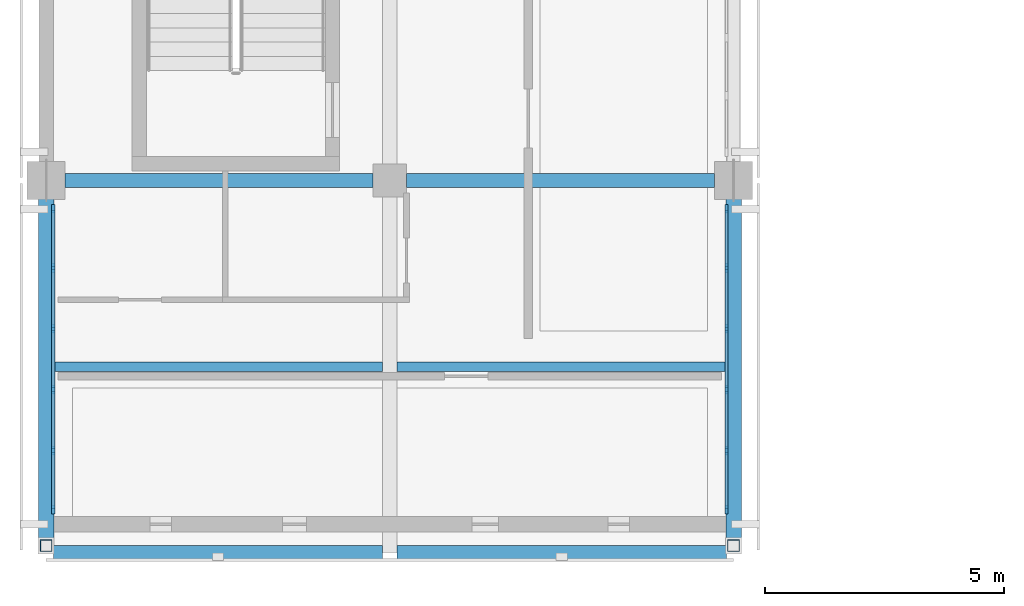
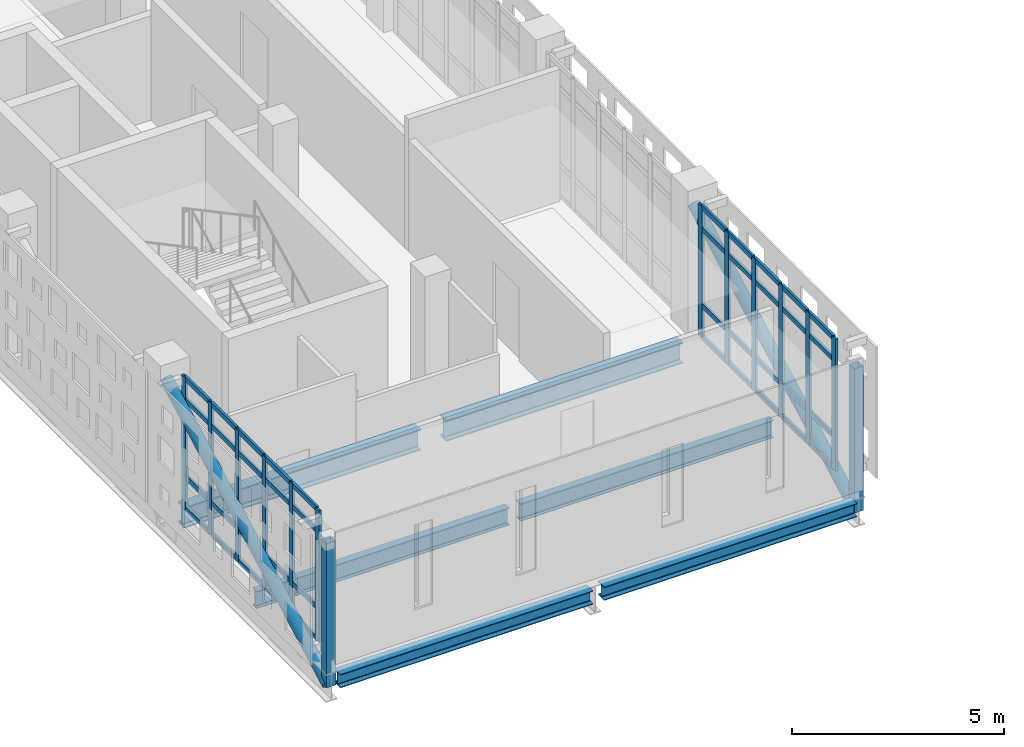
# One storey, part 7 of 33: 56 members, 6 beams, 2 elements without a shape of their own.
"""IFC4 building model written with IfcOpenShell, lengths in metres."""

import ifcopenshell
import ifcopenshell.guid

model = None  # the IFC model being written
_history = None  # IfcOwnerHistory: only IFC2X3 demands one
_inside = {}  # id of a spatial element -> (the spatial element, [elements in it])
_under = {}  # id of a project, library or spatial element -> (it, [spatial elements below it])
_declared = {}  # id of a project -> (the project, [libraries it declares])
_typed = {}  # id of a type object -> (the type object, [elements of that type])
_made_of = {}  # id of a material, layer set ... -> (it, [elements and type objects made of it])


def new_model(schema):
    """Start an empty IFC model of exactly this schema.

    Asked for "IFC4X3", IfcOpenShell would pick the latest addendum, in which some entities
    have other attributes; the version numbers below select the first issue.
    IFC2X3 requires an IfcOwnerHistory on every rooted entity: one is made here for all.
    """
    global model, _history
    if schema == "IFC4X3":
        model = ifcopenshell.file(schema_version=(4, 3, 0, 0))
    else:
        model = ifcopenshell.file(schema=schema)
    _inside.clear()
    _under.clear()
    _declared.clear()
    _typed.clear()
    _made_of.clear()
    _history = None
    if model.schema == "IFC2X3":
        org = make("IfcOrganization", Name="unknown")
        user = make(
            "IfcPersonAndOrganization",
            ThePerson=make("IfcPerson", FamilyName="unknown"),
            TheOrganization=org,
        )
        app = make(
            "IfcApplication",
            ApplicationDeveloper=org,
            Version="unknown",
            ApplicationFullName="unknown",
            ApplicationIdentifier="unknown",
        )
        _history = make(
            "IfcOwnerHistory",
            OwningUser=user,
            OwningApplication=app,
            ChangeAction="ADDED",
            CreationDate=0,
        )
    return model


def make(cls, **values):
    """One entity of the class cls with the attributes given. An attribute that is None is left unset."""
    return model.create_entity(
        cls, **{name: value for name, value in values.items() if value is not None}
    )


def rooted(cls, **values):
    """An entity with a GlobalId (a new one), such as an element, a storey or a relation."""
    return make(cls, GlobalId=ifcopenshell.guid.new(), OwnerHistory=_history, **values)


def si_unit(unit_type, name, prefix=None):
    """IfcSIUnit, for example si_unit("LENGTHUNIT", "METRE", prefix="MILLI")."""
    return make("IfcSIUnit", UnitType=unit_type, Prefix=prefix, Name=name)


def assignment(units):
    """IfcUnitAssignment: the units of a project."""
    return None if units is None else make("IfcUnitAssignment", Units=units)


def point(xyz):
    """IfcCartesianPoint."""
    return None if xyz is None else make("IfcCartesianPoint", Coordinates=xyz)


def direction(xyz):
    """IfcDirection."""
    return None if xyz is None else make("IfcDirection", DirectionRatios=xyz)


def frame(location, z_axis=None, x_axis=None):
    """IfcAxis2Placement3D, a coordinate frame: its origin and axes. An axis left out is left unset."""
    return make(
        "IfcAxis2Placement3D",
        Location=point(location),
        Axis=direction(z_axis),
        RefDirection=direction(x_axis),
    )


def frame_2d(location, x_axis=None):
    """IfcAxis2Placement2D, a coordinate frame in the plane: its origin and x axis."""
    return make(
        "IfcAxis2Placement2D", Location=point(location), RefDirection=direction(x_axis)
    )


def origin():
    """The frame at (0, 0, 0) with its axes left unset."""
    return frame((0.0, 0.0, 0.0))


def origin_2d():
    """The frame at (0, 0) in the plane with its x axis left unset."""
    return frame_2d((0.0, 0.0))


def place(relative_to, where):
    """IfcLocalPlacement: puts the frame where relative to a parent placement (None: the world)."""
    return make(
        "IfcLocalPlacement", PlacementRelTo=relative_to, RelativePlacement=where
    )


def context(
    kind, dimensions, precision=None, world=None, true_north=None, identifier=None
):
    """IfcGeometricRepresentationContext, for example the 3D "Model" context."""
    return make(
        "IfcGeometricRepresentationContext",
        ContextIdentifier=identifier,
        ContextType=kind,
        CoordinateSpaceDimension=dimensions,
        Precision=precision,
        WorldCoordinateSystem=world,
        TrueNorth=true_north,
    )


def subcontext(parent, identifier, kind, view, scale=None):
    """IfcGeometricRepresentationSubContext, for example "Body" below "Model"."""
    return make(
        "IfcGeometricRepresentationSubContext",
        ContextIdentifier=identifier,
        ContextType=kind,
        ParentContext=parent,
        TargetScale=scale,
        TargetView=view,
    )


def project(units=None, contexts=None):
    """IfcProject with its units and contexts."""
    return rooted(
        "IfcProject",
        Name="project",
        RepresentationContexts=contexts,
        UnitsInContext=assignment(units),
    )


def spatial(cls, under=None, at=None, **own):
    """A site, building, storey or space (cls), placed at a placement, below another one or the project."""
    s = rooted(cls, ObjectPlacement=at, **own)
    if under is not None:
        _under.setdefault(under.id(), (under, []))[1].append(s)
    return s


def profile(cls, at=None, kind="AREA", **sizes):
    """A parametric profile (cls). Its sizes go by their IFC names, for example OverallWidth=200.0."""
    return make(cls, ProfileType=kind, Position=at, **sizes)


def rectangle(**sizes):
    """IfcRectangleProfileDef."""
    return profile("IfcRectangleProfileDef", **sizes)


def hollow_rectangle(**sizes):
    """IfcRectangleHollowProfileDef."""
    return profile("IfcRectangleHollowProfileDef", **sizes)


def hollow_circle(**sizes):
    """IfcCircleHollowProfileDef."""
    return profile("IfcCircleHollowProfileDef", **sizes)


def i_section(**sizes):
    """IfcIShapeProfileDef."""
    return profile("IfcIShapeProfileDef", **sizes)


def extrude(swept, where, along, depth):
    """IfcExtrudedAreaSolid: the profile swept, set in the frame where, extruded along a direction by depth."""
    return make(
        "IfcExtrudedAreaSolid",
        SweptArea=swept,
        Position=where,
        ExtrudedDirection=direction(along),
        Depth=depth,
    )


def shape(context_of_items, identifier, shape_type, items):
    """IfcShapeRepresentation: the items that make up one representation, for example the "Body"."""
    return make(
        "IfcShapeRepresentation",
        ContextOfItems=context_of_items,
        RepresentationIdentifier=identifier,
        RepresentationType=shape_type,
        Items=items,
    )


def material(Name=None, Category=None):
    """IfcMaterial."""
    return make("IfcMaterial", Name=Name, Category=Category)


def layer(
    of_material, thickness, ventilated=None, Name=None, Category=None, Priority=None
):
    """IfcMaterialLayer: one layer of a wall or slab, of a material (None: an air gap)."""
    return make(
        "IfcMaterialLayer",
        Material=of_material,
        LayerThickness=thickness,
        IsVentilated=ventilated,
        Name=Name,
        Category=Category,
        Priority=Priority,
    )


def layer_set(layers, Name=None):
    """IfcMaterialLayerSet."""
    return make("IfcMaterialLayerSet", MaterialLayers=layers, LayerSetName=Name)


def material_profile(
    of_material, cross_section, Name=None, Category=None, Priority=None
):
    """IfcMaterialProfile: a cross section and its material."""
    return make(
        "IfcMaterialProfile",
        Name=Name,
        Material=of_material,
        Profile=cross_section,
        Priority=Priority,
        Category=Category,
    )


def profile_set(profiles, Name=None, composite=None):
    """IfcMaterialProfileSet."""
    return make(
        "IfcMaterialProfileSet",
        Name=Name,
        MaterialProfiles=profiles,
        CompositeProfile=composite,
    )


def made_of(thing, what):
    """Note that an element or type object is made of a material, layer set ...; save() writes the relation."""
    if what is not None:
        _made_of.setdefault(what.id(), (what, []))[1].append(thing)
    return thing


def type_object(cls, material=None, **own):
    """A type object (cls), such as IfcWallType, which elements share."""
    return made_of(rooted(cls, **own), material)


def element(
    cls,
    number,
    at=None,
    inside=None,
    cuts=None,
    type_object=None,
    material=None,
    context=None,
    identifier="Body",
    shape_type=None,
    held_by="IfcProductDefinitionShape",
    body=None,
    shapes=None,
    **own,
):
    """One element of the class cls, such as IfcWall. Its Tag is "e" and its number.

    at: its placement. inside: the storey or other place that contains it. cuts: it is an
    opening in that element (IfcRelVoidsElement). A single representation is given by context,
    identifier, shape_type and body (its items); several are given by shapes. held_by: the class
    of the entity that holds the representations. save() writes the other relations.
    """
    e = rooted(cls, Tag="e%d" % number, ObjectPlacement=at, **own)
    if body is not None:
        shapes = [shape(context, identifier, shape_type, body)]
    if shapes is not None:
        e.Representation = make(held_by, Representations=shapes)
    if inside is not None:
        _inside.setdefault(inside.id(), (inside, []))[1].append(e)
    if cuts is not None:
        rooted(
            "IfcRelVoidsElement", RelatingBuildingElement=cuts, RelatedOpeningElement=e
        )
    if type_object is not None:
        _typed.setdefault(type_object.id(), (type_object, []))[1].append(e)
    return made_of(e, material)


def aggregate(whole, parts):
    """IfcRelAggregates: a whole, such as a stair, and the parts it consists of."""
    return rooted("IfcRelAggregates", RelatingObject=whole, RelatedObjects=parts)


def save(model, path):
    """Write the relations noted so far, then the file.

    IfcRelAggregates (storeys below a building ...), IfcRelContainedInSpatialStructure (elements
    in a storey), IfcRelDefinesByType, IfcRelAssociatesMaterial and IfcRelDeclares: one each for
    every whole, place, type object, material and project.
    """
    for whole, parts in _under.values():
        aggregate(whole, parts)
    for where, things in _inside.values():
        rooted(
            "IfcRelContainedInSpatialStructure",
            RelatedElements=things,
            RelatingStructure=where,
        )
    for kind, things in _typed.values():
        rooted("IfcRelDefinesByType", RelatedObjects=things, RelatingType=kind)
    for what, things in _made_of.values():
        rooted("IfcRelAssociatesMaterial", RelatedObjects=things, RelatingMaterial=what)
    for by, libraries in _declared.values():
        rooted("IfcRelDeclares", RelatingContext=by, RelatedDefinitions=libraries)
    model.write(path)


model = new_model("IFC4")

# Units and contexts
model_context = context("Model", 3, precision=1e-05, world=origin(), true_north=direction((0.0, 1.0)))
body_context = subcontext(model_context, "Body", "Model", "MODEL_VIEW")
ifc_project = project(units=[si_unit("LENGTHUNIT", "METRE"), si_unit("AREAUNIT", "SQUARE_METRE"), si_unit("VOLUMEUNIT", "CUBIC_METRE"), si_unit("PLANEANGLEUNIT", "RADIAN"), si_unit("MASSUNIT", "GRAM", prefix="KILO")], contexts=[model_context])

# Site, building, storey
site_placement = place(None, origin())
site = spatial("IfcSite", under=ifc_project, at=site_placement, CompositionType="ELEMENT")
building_placement = place(site_placement, origin())
building = spatial("IfcBuilding", under=site, at=building_placement, Name="Valkovuoma Quantum and Materials Research Institute", CompositionType="ELEMENT")
storey_placement = place(building_placement, frame((0.0, 0.0, 25.60009765625)))
storey = spatial("IfcBuildingStorey", under=building, at=storey_placement, Name="L06", CompositionType="ELEMENT", Elevation=25.60009765625)

# Beams
ifc_material_1 = material(Name="Steel S355J2", Category="steel")
ifc_material_profile_1 = material_profile(ifc_material_1, i_section(OverallWidth=0.300048828125, OverallDepth=0.389892578125, WebThickness=0.010986328125, FlangeThickness=0.01904296875, FilletRadius=0.027099609375, at=origin_2d()), Name="Steel S355J2")
ifc_profile_set_1 = profile_set([ifc_material_profile_1], Name="Steel S355J2")
beam_type_1 = type_object("IfcBeamType", Name="Beam-B-HEA400", PredefinedType="SPANDREL", material=ifc_profile_set_1)
beam_1_placement = place(storey_placement, frame((0.14990234375, 21.0, -0.545166015625), z_axis=(1.0, 0.0, 0.0), x_axis=(0.0, 1.0, 0.0)))
element("IfcBeam", 1, at=beam_1_placement, inside=storey, type_object=beam_type_1, Name="L06 cantilever tip beam 1", PredefinedType="SPANDREL", context=body_context, shape_type="SweptSolid", body=[
    extrude(i_section(OverallWidth=0.300048828125, OverallDepth=0.389892578125, WebThickness=0.010986328125, FlangeThickness=0.01904296875, FilletRadius=0.027099609375, at=origin_2d()), origin(), (0.0, 0.0, 1.0), 6.900146484375),
])
beam_2_placement = place(storey_placement, frame((7.35009765625, 21.0, -0.545166015625), z_axis=(1.0, 0.0, 0.0), x_axis=(0.0, 1.0, 0.0)))
element("IfcBeam", 2, at=beam_2_placement, inside=storey, type_object=beam_type_1, Name="L06 cantilever tip beam 2", PredefinedType="SPANDREL", context=body_context, shape_type="SweptSolid", body=[
    extrude(i_section(OverallWidth=0.300048828125, OverallDepth=0.389892578125, WebThickness=0.010986328125, FlangeThickness=0.01904296875, FilletRadius=0.027099609375, at=origin_2d()), origin(), (0.0, 0.0, 1.0), 6.89990234375),
])
ifc_material_2 = material(Name="Steel S355J2", Category="steel")
ifc_material_profile_2 = material_profile(ifc_material_2, i_section(OverallWidth=0.300048828125, OverallDepth=0.60009765625, WebThickness=0.015380859375, FlangeThickness=0.030029296875, FilletRadius=0.027099609375, at=origin_2d()), Name="Steel S355J2")
ifc_profile_set_2 = profile_set([ifc_material_profile_2], Name="Steel S355J2")
beam_type_2 = type_object("IfcBeamType", Name="Beam-B-HEB600", PredefinedType="BEAM", material=ifc_profile_set_2)
beam_3_placement = place(storey_placement, frame((0.39990234375, 28.800048828125, -0.650146484375), z_axis=(1.0, 0.0, 0.0), x_axis=(0.0, 1.0, 0.0)))
element("IfcBeam", 3, at=beam_3_placement, inside=storey, type_object=beam_type_2, Name="L06 beam X-2324", PredefinedType="BEAM", context=body_context, shape_type="SweptSolid", body=[
    extrude(i_section(OverallWidth=0.300048828125, OverallDepth=0.60009765625, WebThickness=0.015380859375, FlangeThickness=0.030029296875, FilletRadius=0.027099609375, at=origin_2d()), origin(), (0.0, 0.0, 1.0), 6.4501953125),
])
beam_4_placement = place(storey_placement, frame((7.550048828125, 28.800048828125, -0.650146484375), z_axis=(1.0, 0.0, 0.0), x_axis=(0.0, 1.0, 0.0)))
element("IfcBeam", 4, at=beam_4_placement, inside=storey, type_object=beam_type_2, Name="L06 beam X-2325", PredefinedType="BEAM", context=body_context, shape_type="SweptSolid", body=[
    extrude(i_section(OverallWidth=0.300048828125, OverallDepth=0.60009765625, WebThickness=0.015380859375, FlangeThickness=0.030029296875, FilletRadius=0.027099609375, at=origin_2d()), origin(), (0.0, 0.0, 1.0), 6.449951171875),
])
ifc_material_3 = material(Name="Steel S355J2", Category="steel")
ifc_material_profile_3 = material_profile(ifc_material_3, i_section(OverallWidth=0.199951171875, OverallDepth=0.5, WebThickness=0.01025390625, FlangeThickness=0.01611328125, FilletRadius=0.02099609375, at=origin_2d()), Name="Steel S355J2")
ifc_profile_set_3 = profile_set([ifc_material_profile_3], Name="Steel S355J2")
beam_type_3 = type_object("IfcBeamType", Name="Beam-B-IPE500", PredefinedType="BEAM", material=ifc_profile_set_3)
beam_5_placement = place(storey_placement, frame((0.14990234375, 24.89990234375, -0.60009765625), z_axis=(1.0, 0.0, 0.0), x_axis=(0.0, 1.0, 0.0)))
element("IfcBeam", 5, at=beam_5_placement, inside=storey, type_object=beam_type_3, Name="L06 cantilever mid beam 1", PredefinedType="BEAM", context=body_context, shape_type="SweptSolid", body=[
    extrude(i_section(OverallWidth=0.199951171875, OverallDepth=0.5, WebThickness=0.01025390625, FlangeThickness=0.01611328125, FilletRadius=0.02099609375, at=origin_2d()), origin(), (0.0, 0.0, 1.0), 6.900146484375),
])
beam_6_placement = place(storey_placement, frame((7.35009765625, 24.89990234375, -0.60009765625), z_axis=(1.0, 0.0, 0.0), x_axis=(0.0, 1.0, 0.0)))
element("IfcBeam", 6, at=beam_6_placement, inside=storey, type_object=beam_type_3, Name="L06 cantilever mid beam 2", PredefinedType="BEAM", context=body_context, shape_type="SweptSolid", body=[
    extrude(i_section(OverallWidth=0.199951171875, OverallDepth=0.5, WebThickness=0.01025390625, FlangeThickness=0.01611328125, FilletRadius=0.02099609375, at=origin_2d()), origin(), (0.0, 0.0, 1.0), 6.89990234375),
])

# Curtain wall, members
ifc_material_4 = material(Name="Thermally broken aluminium and triple low-E glazing", Category="aluminium")
ifc_layer = layer(ifc_material_4, 0.219970703125)
ifc_layer_set = layer_set([ifc_layer], Name="Thermally broken aluminium and triple low-E glazing")
curtain_wall_type = type_object("IfcCurtainWallType", Name="CW-CW-01", PredefinedType="NOTDEFINED", material=ifc_layer_set)
curtain_wall_1_placement = place(storey_placement, origin())
curtain_wall_1 = element("IfcCurtainWall", 7, at=curtain_wall_1_placement, inside=storey, type_object=curtain_wall_type, Name="L06 curtain wall 073", PredefinedType="NOTDEFINED")
ifc_material_5 = material(Name="Anodised aluminium 6060-T66", Category="aluminium")
ifc_material_profile_4 = material_profile(ifc_material_5, rectangle(XDim=0.06494140625, YDim=0.179931640625, at=origin_2d()), Name="Anodised aluminium 6060-T66")
ifc_profile_set_4 = profile_set([ifc_material_profile_4], Name="Anodised aluminium 6060-T66")
member_type_1 = type_object("IfcMemberType", Name="CWMull-CWM-01", PredefinedType="MULLION", material=ifc_profile_set_4)
member_1_placement = place(storey_placement, frame((0.14990234375, 21.900390625, 0.0), z_axis=(0.0, 0.0, 1.0), x_axis=(-1.0, 0.0, 0.0)))
member_1 = element("IfcMember", 8, at=member_1_placement, type_object=member_type_1, Name="CW-01 mullion 1", PredefinedType="MULLION", context=body_context, shape_type="SweptSolid", body=[
    extrude(rectangle(XDim=0.06494140625, YDim=0.179931640625, at=origin_2d()), origin(), (0.0, 0.0, 1.0), 3.809814453125),
])
member_2_placement = place(storey_placement, frame((0.14990234375, 23.142822265625, 0.0), z_axis=(0.0, 0.0, 1.0), x_axis=(-1.0, 0.0, 0.0)))
member_2 = element("IfcMember", 9, at=member_2_placement, type_object=member_type_1, Name="CW-01 mullion 2", PredefinedType="MULLION", context=body_context, shape_type="SweptSolid", body=[
    extrude(rectangle(XDim=0.06494140625, YDim=0.179931640625, at=origin_2d()), origin(), (0.0, 0.0, 1.0), 3.809814453125),
])
member_3_placement = place(storey_placement, frame((0.14990234375, 24.41796875, 0.0), z_axis=(0.0, 0.0, 1.0), x_axis=(-1.0, 0.0, 0.0)))
member_3 = element("IfcMember", 10, at=member_3_placement, type_object=member_type_1, Name="CW-01 mullion 3", PredefinedType="MULLION", context=body_context, shape_type="SweptSolid", body=[
    extrude(rectangle(XDim=0.06494140625, YDim=0.179931640625, at=origin_2d()), origin(), (0.0, 0.0, 1.0), 3.809814453125),
])
member_4_placement = place(storey_placement, frame((0.14990234375, 25.69287109375, 0.0), z_axis=(0.0, 0.0, 1.0), x_axis=(-1.0, 0.0, 0.0)))
member_4 = element("IfcMember", 11, at=member_4_placement, type_object=member_type_1, Name="CW-01 mullion 4", PredefinedType="MULLION", context=body_context, shape_type="SweptSolid", body=[
    extrude(rectangle(XDim=0.06494140625, YDim=0.179931640625, at=origin_2d()), origin(), (0.0, 0.0, 1.0), 3.809814453125),
])
member_5_placement = place(storey_placement, frame((0.14990234375, 26.968017578125, 0.0), z_axis=(0.0, 0.0, 1.0), x_axis=(-1.0, 0.0, 0.0)))
member_5 = element("IfcMember", 12, at=member_5_placement, type_object=member_type_1, Name="CW-01 mullion 5", PredefinedType="MULLION", context=body_context, shape_type="SweptSolid", body=[
    extrude(rectangle(XDim=0.06494140625, YDim=0.179931640625, at=origin_2d()), origin(), (0.0, 0.0, 1.0), 3.809814453125),
])
member_6_placement = place(storey_placement, frame((0.14990234375, 28.21044921875, 0.0), z_axis=(0.0, 0.0, 1.0), x_axis=(-1.0, 0.0, 0.0)))
member_6 = element("IfcMember", 13, at=member_6_placement, type_object=member_type_1, Name="CW-01 mullion 6", PredefinedType="MULLION", context=body_context, shape_type="SweptSolid", body=[
    extrude(rectangle(XDim=0.06494140625, YDim=0.179931640625, at=origin_2d()), origin(), (0.0, 0.0, 1.0), 3.809814453125),
])

curtain_wall_2_placement = place(storey_placement, origin())
curtain_wall_2 = element("IfcCurtainWall", 14, at=curtain_wall_2_placement, inside=storey, type_object=curtain_wall_type, Name="L06 curtain wall 074", PredefinedType="NOTDEFINED")
member_7_placement = place(storey_placement, frame((14.25, 21.900390625, 0.0), z_axis=(0.0, 0.0, 1.0), x_axis=(-1.0, 0.0, 0.0)))
member_7 = element("IfcMember", 15, at=member_7_placement, type_object=member_type_1, Name="CW-01 mullion 1", PredefinedType="MULLION", context=body_context, shape_type="SweptSolid", body=[
    extrude(rectangle(XDim=0.06494140625, YDim=0.179931640625, at=origin_2d()), origin(), (0.0, 0.0, 1.0), 3.809814453125),
])
member_8_placement = place(storey_placement, frame((14.25, 23.142822265625, 0.0), z_axis=(0.0, 0.0, 1.0), x_axis=(-1.0, 0.0, 0.0)))
member_8 = element("IfcMember", 16, at=member_8_placement, type_object=member_type_1, Name="CW-01 mullion 2", PredefinedType="MULLION", context=body_context, shape_type="SweptSolid", body=[
    extrude(rectangle(XDim=0.06494140625, YDim=0.179931640625, at=origin_2d()), origin(), (0.0, 0.0, 1.0), 3.809814453125),
])
member_9_placement = place(storey_placement, frame((14.25, 24.41796875, 0.0), z_axis=(0.0, 0.0, 1.0), x_axis=(-1.0, 0.0, 0.0)))
member_9 = element("IfcMember", 17, at=member_9_placement, type_object=member_type_1, Name="CW-01 mullion 3", PredefinedType="MULLION", context=body_context, shape_type="SweptSolid", body=[
    extrude(rectangle(XDim=0.06494140625, YDim=0.179931640625, at=origin_2d()), origin(), (0.0, 0.0, 1.0), 3.809814453125),
])
member_10_placement = place(storey_placement, frame((14.25, 25.69287109375, 0.0), z_axis=(0.0, 0.0, 1.0), x_axis=(-1.0, 0.0, 0.0)))
member_10 = element("IfcMember", 18, at=member_10_placement, type_object=member_type_1, Name="CW-01 mullion 4", PredefinedType="MULLION", context=body_context, shape_type="SweptSolid", body=[
    extrude(rectangle(XDim=0.06494140625, YDim=0.179931640625, at=origin_2d()), origin(), (0.0, 0.0, 1.0), 3.809814453125),
])
member_11_placement = place(storey_placement, frame((14.25, 26.968017578125, 0.0), z_axis=(0.0, 0.0, 1.0), x_axis=(-1.0, 0.0, 0.0)))
member_11 = element("IfcMember", 19, at=member_11_placement, type_object=member_type_1, Name="CW-01 mullion 5", PredefinedType="MULLION", context=body_context, shape_type="SweptSolid", body=[
    extrude(rectangle(XDim=0.06494140625, YDim=0.179931640625, at=origin_2d()), origin(), (0.0, 0.0, 1.0), 3.809814453125),
])
member_12_placement = place(storey_placement, frame((14.25, 28.21044921875, 0.0), z_axis=(0.0, 0.0, 1.0), x_axis=(-1.0, 0.0, 0.0)))
member_12 = element("IfcMember", 20, at=member_12_placement, type_object=member_type_1, Name="CW-01 mullion 6", PredefinedType="MULLION", context=body_context, shape_type="SweptSolid", body=[
    extrude(rectangle(XDim=0.06494140625, YDim=0.179931640625, at=origin_2d()), origin(), (0.0, 0.0, 1.0), 3.809814453125),
])

# Member
ifc_material_6 = material(Name="Anodised aluminium 6060-T66", Category="aluminium")
ifc_material_profile_5 = material_profile(ifc_material_6, rectangle(XDim=0.06494140625, YDim=0.139892578125, at=origin_2d()), Name="Anodised aluminium 6060-T66")
ifc_profile_set_5 = profile_set([ifc_material_profile_5], Name="Anodised aluminium 6060-T66")
member_type_2 = type_object("IfcMemberType", Name="CWTran-CWT-01", PredefinedType="USERDEFINED", material=ifc_profile_set_5)
member_13_placement = place(storey_placement, frame((0.14990234375, 21.932861328125, 0.032470703125), z_axis=(0.0, 1.0, 0.0), x_axis=(-1.0, 0.0, 0.0)))
member_13 = element("IfcMember", 21, at=member_13_placement, type_object=member_type_2, Name="CW-01 transom 1.1", ObjectType="TRANSOM", PredefinedType="USERDEFINED", context=body_context, shape_type="SweptSolid", body=[
    extrude(rectangle(XDim=0.06494140625, YDim=0.139892578125, at=origin_2d()), origin(), (0.0, 0.0, 1.0), 1.177490234375),
])

member_14_placement = place(storey_placement, frame((0.14990234375, 21.932861328125, 0.949951171875), z_axis=(0.0, 1.0, 0.0), x_axis=(-1.0, 0.0, 0.0)))
member_14 = element("IfcMember", 22, at=member_14_placement, type_object=member_type_2, Name="CW-01 transom 1.2", ObjectType="TRANSOM", PredefinedType="USERDEFINED", context=body_context, shape_type="SweptSolid", body=[
    extrude(rectangle(XDim=0.06494140625, YDim=0.139892578125, at=origin_2d()), origin(), (0.0, 0.0, 1.0), 1.177490234375),
])

member_15_placement = place(storey_placement, frame((0.14990234375, 21.932861328125, 3.159912109375), z_axis=(0.0, 1.0, 0.0), x_axis=(-1.0, 0.0, 0.0)))
member_15 = element("IfcMember", 23, at=member_15_placement, type_object=member_type_2, Name="CW-01 transom 1.3", ObjectType="TRANSOM", PredefinedType="USERDEFINED", context=body_context, shape_type="SweptSolid", body=[
    extrude(rectangle(XDim=0.06494140625, YDim=0.139892578125, at=origin_2d()), origin(), (0.0, 0.0, 1.0), 1.177490234375),
])

member_16_placement = place(storey_placement, frame((0.14990234375, 21.932861328125, 3.77734375), z_axis=(0.0, 1.0, 0.0), x_axis=(-1.0, 0.0, 0.0)))
member_16 = element("IfcMember", 24, at=member_16_placement, type_object=member_type_2, Name="CW-01 transom 1.4", ObjectType="TRANSOM", PredefinedType="USERDEFINED", context=body_context, shape_type="SweptSolid", body=[
    extrude(rectangle(XDim=0.06494140625, YDim=0.139892578125, at=origin_2d()), origin(), (0.0, 0.0, 1.0), 1.177490234375),
])

member_17_placement = place(storey_placement, frame((0.14990234375, 23.17529296875, 0.032470703125), z_axis=(0.0, 1.0, 0.0), x_axis=(-1.0, 0.0, 0.0)))
member_17 = element("IfcMember", 25, at=member_17_placement, type_object=member_type_2, Name="CW-01 transom 2.1", ObjectType="TRANSOM", PredefinedType="USERDEFINED", context=body_context, shape_type="SweptSolid", body=[
    extrude(rectangle(XDim=0.06494140625, YDim=0.139892578125, at=origin_2d()), origin(), (0.0, 0.0, 1.0), 1.210205078125),
])

member_18_placement = place(storey_placement, frame((0.14990234375, 23.17529296875, 0.949951171875), z_axis=(0.0, 1.0, 0.0), x_axis=(-1.0, 0.0, 0.0)))
member_18 = element("IfcMember", 26, at=member_18_placement, type_object=member_type_2, Name="CW-01 transom 2.2", ObjectType="TRANSOM", PredefinedType="USERDEFINED", context=body_context, shape_type="SweptSolid", body=[
    extrude(rectangle(XDim=0.06494140625, YDim=0.139892578125, at=origin_2d()), origin(), (0.0, 0.0, 1.0), 1.210205078125),
])

member_19_placement = place(storey_placement, frame((0.14990234375, 23.17529296875, 3.159912109375), z_axis=(0.0, 1.0, 0.0), x_axis=(-1.0, 0.0, 0.0)))
member_19 = element("IfcMember", 27, at=member_19_placement, type_object=member_type_2, Name="CW-01 transom 2.3", ObjectType="TRANSOM", PredefinedType="USERDEFINED", context=body_context, shape_type="SweptSolid", body=[
    extrude(rectangle(XDim=0.06494140625, YDim=0.139892578125, at=origin_2d()), origin(), (0.0, 0.0, 1.0), 1.210205078125),
])

member_20_placement = place(storey_placement, frame((0.14990234375, 23.17529296875, 3.77734375), z_axis=(0.0, 1.0, 0.0), x_axis=(-1.0, 0.0, 0.0)))
member_20 = element("IfcMember", 28, at=member_20_placement, type_object=member_type_2, Name="CW-01 transom 2.4", ObjectType="TRANSOM", PredefinedType="USERDEFINED", context=body_context, shape_type="SweptSolid", body=[
    extrude(rectangle(XDim=0.06494140625, YDim=0.139892578125, at=origin_2d()), origin(), (0.0, 0.0, 1.0), 1.210205078125),
])

member_21_placement = place(storey_placement, frame((0.14990234375, 24.450439453125, 0.032470703125), z_axis=(0.0, 1.0, 0.0), x_axis=(-1.0, 0.0, 0.0)))
member_21 = element("IfcMember", 29, at=member_21_placement, type_object=member_type_2, Name="CW-01 transom 3.1", ObjectType="TRANSOM", PredefinedType="USERDEFINED", context=body_context, shape_type="SweptSolid", body=[
    extrude(rectangle(XDim=0.06494140625, YDim=0.139892578125, at=origin_2d()), origin(), (0.0, 0.0, 1.0), 1.2099609375),
])

member_22_placement = place(storey_placement, frame((0.14990234375, 24.450439453125, 0.949951171875), z_axis=(0.0, 1.0, 0.0), x_axis=(-1.0, 0.0, 0.0)))
member_22 = element("IfcMember", 30, at=member_22_placement, type_object=member_type_2, Name="CW-01 transom 3.2", ObjectType="TRANSOM", PredefinedType="USERDEFINED", context=body_context, shape_type="SweptSolid", body=[
    extrude(rectangle(XDim=0.06494140625, YDim=0.139892578125, at=origin_2d()), origin(), (0.0, 0.0, 1.0), 1.2099609375),
])

member_23_placement = place(storey_placement, frame((0.14990234375, 24.450439453125, 3.159912109375), z_axis=(0.0, 1.0, 0.0), x_axis=(-1.0, 0.0, 0.0)))
member_23 = element("IfcMember", 31, at=member_23_placement, type_object=member_type_2, Name="CW-01 transom 3.3", ObjectType="TRANSOM", PredefinedType="USERDEFINED", context=body_context, shape_type="SweptSolid", body=[
    extrude(rectangle(XDim=0.06494140625, YDim=0.139892578125, at=origin_2d()), origin(), (0.0, 0.0, 1.0), 1.2099609375),
])

member_24_placement = place(storey_placement, frame((0.14990234375, 24.450439453125, 3.77734375), z_axis=(0.0, 1.0, 0.0), x_axis=(-1.0, 0.0, 0.0)))
member_24 = element("IfcMember", 32, at=member_24_placement, type_object=member_type_2, Name="CW-01 transom 3.4", ObjectType="TRANSOM", PredefinedType="USERDEFINED", context=body_context, shape_type="SweptSolid", body=[
    extrude(rectangle(XDim=0.06494140625, YDim=0.139892578125, at=origin_2d()), origin(), (0.0, 0.0, 1.0), 1.2099609375),
])

member_25_placement = place(storey_placement, frame((0.14990234375, 25.725341796875, 0.032470703125), z_axis=(0.0, 1.0, 0.0), x_axis=(-1.0, 0.0, 0.0)))
member_25 = element("IfcMember", 33, at=member_25_placement, type_object=member_type_2, Name="CW-01 transom 4.1", ObjectType="TRANSOM", PredefinedType="USERDEFINED", context=body_context, shape_type="SweptSolid", body=[
    extrude(rectangle(XDim=0.06494140625, YDim=0.139892578125, at=origin_2d()), origin(), (0.0, 0.0, 1.0), 1.2099609375),
])

member_26_placement = place(storey_placement, frame((0.14990234375, 25.725341796875, 0.949951171875), z_axis=(0.0, 1.0, 0.0), x_axis=(-1.0, 0.0, 0.0)))
member_26 = element("IfcMember", 34, at=member_26_placement, type_object=member_type_2, Name="CW-01 transom 4.2", ObjectType="TRANSOM", PredefinedType="USERDEFINED", context=body_context, shape_type="SweptSolid", body=[
    extrude(rectangle(XDim=0.06494140625, YDim=0.139892578125, at=origin_2d()), origin(), (0.0, 0.0, 1.0), 1.2099609375),
])

member_27_placement = place(storey_placement, frame((0.14990234375, 25.725341796875, 3.159912109375), z_axis=(0.0, 1.0, 0.0), x_axis=(-1.0, 0.0, 0.0)))
member_27 = element("IfcMember", 35, at=member_27_placement, type_object=member_type_2, Name="CW-01 transom 4.3", ObjectType="TRANSOM", PredefinedType="USERDEFINED", context=body_context, shape_type="SweptSolid", body=[
    extrude(rectangle(XDim=0.06494140625, YDim=0.139892578125, at=origin_2d()), origin(), (0.0, 0.0, 1.0), 1.2099609375),
])

member_28_placement = place(storey_placement, frame((0.14990234375, 25.725341796875, 3.77734375), z_axis=(0.0, 1.0, 0.0), x_axis=(-1.0, 0.0, 0.0)))
member_28 = element("IfcMember", 36, at=member_28_placement, type_object=member_type_2, Name="CW-01 transom 4.4", ObjectType="TRANSOM", PredefinedType="USERDEFINED", context=body_context, shape_type="SweptSolid", body=[
    extrude(rectangle(XDim=0.06494140625, YDim=0.139892578125, at=origin_2d()), origin(), (0.0, 0.0, 1.0), 1.2099609375),
])

member_29_placement = place(storey_placement, frame((0.14990234375, 27.00048828125, 0.032470703125), z_axis=(0.0, 1.0, 0.0), x_axis=(-1.0, 0.0, 0.0)))
member_29 = element("IfcMember", 37, at=member_29_placement, type_object=member_type_2, Name="CW-01 transom 5.1", ObjectType="TRANSOM", PredefinedType="USERDEFINED", context=body_context, shape_type="SweptSolid", body=[
    extrude(rectangle(XDim=0.06494140625, YDim=0.139892578125, at=origin_2d()), origin(), (0.0, 0.0, 1.0), 1.177490234375),
])

member_30_placement = place(storey_placement, frame((0.14990234375, 27.00048828125, 0.949951171875), z_axis=(0.0, 1.0, 0.0), x_axis=(-1.0, 0.0, 0.0)))
member_30 = element("IfcMember", 38, at=member_30_placement, type_object=member_type_2, Name="CW-01 transom 5.2", ObjectType="TRANSOM", PredefinedType="USERDEFINED", context=body_context, shape_type="SweptSolid", body=[
    extrude(rectangle(XDim=0.06494140625, YDim=0.139892578125, at=origin_2d()), origin(), (0.0, 0.0, 1.0), 1.177490234375),
])

member_31_placement = place(storey_placement, frame((0.14990234375, 27.00048828125, 3.159912109375), z_axis=(0.0, 1.0, 0.0), x_axis=(-1.0, 0.0, 0.0)))
member_31 = element("IfcMember", 39, at=member_31_placement, type_object=member_type_2, Name="CW-01 transom 5.3", ObjectType="TRANSOM", PredefinedType="USERDEFINED", context=body_context, shape_type="SweptSolid", body=[
    extrude(rectangle(XDim=0.06494140625, YDim=0.139892578125, at=origin_2d()), origin(), (0.0, 0.0, 1.0), 1.177490234375),
])

member_32_placement = place(storey_placement, frame((0.14990234375, 27.00048828125, 3.77734375), z_axis=(0.0, 1.0, 0.0), x_axis=(-1.0, 0.0, 0.0)))
member_32 = element("IfcMember", 40, at=member_32_placement, type_object=member_type_2, Name="CW-01 transom 5.4", ObjectType="TRANSOM", PredefinedType="USERDEFINED", context=body_context, shape_type="SweptSolid", body=[
    extrude(rectangle(XDim=0.06494140625, YDim=0.139892578125, at=origin_2d()), origin(), (0.0, 0.0, 1.0), 1.177490234375),
])

aggregate(curtain_wall_1, [member_1, member_2, member_3, member_4, member_5, member_6, member_13, member_14, member_15, member_16, member_17, member_18, member_19, member_20, member_21, member_22, member_23, member_24, member_25, member_26, member_27, member_28, member_29, member_30, member_31, member_32])

member_33_placement = place(storey_placement, frame((14.25, 21.932861328125, 0.032470703125), z_axis=(0.0, 1.0, 0.0), x_axis=(-1.0, 0.0, 0.0)))
member_33 = element("IfcMember", 41, at=member_33_placement, type_object=member_type_2, Name="CW-01 transom 1.1", ObjectType="TRANSOM", PredefinedType="USERDEFINED", context=body_context, shape_type="SweptSolid", body=[
    extrude(rectangle(XDim=0.06494140625, YDim=0.139892578125, at=origin_2d()), origin(), (0.0, 0.0, 1.0), 1.177490234375),
])

member_34_placement = place(storey_placement, frame((14.25, 21.932861328125, 0.949951171875), z_axis=(0.0, 1.0, 0.0), x_axis=(-1.0, 0.0, 0.0)))
member_34 = element("IfcMember", 42, at=member_34_placement, type_object=member_type_2, Name="CW-01 transom 1.2", ObjectType="TRANSOM", PredefinedType="USERDEFINED", context=body_context, shape_type="SweptSolid", body=[
    extrude(rectangle(XDim=0.06494140625, YDim=0.139892578125, at=origin_2d()), origin(), (0.0, 0.0, 1.0), 1.177490234375),
])

member_35_placement = place(storey_placement, frame((14.25, 21.932861328125, 3.159912109375), z_axis=(0.0, 1.0, 0.0), x_axis=(-1.0, 0.0, 0.0)))
member_35 = element("IfcMember", 43, at=member_35_placement, type_object=member_type_2, Name="CW-01 transom 1.3", ObjectType="TRANSOM", PredefinedType="USERDEFINED", context=body_context, shape_type="SweptSolid", body=[
    extrude(rectangle(XDim=0.06494140625, YDim=0.139892578125, at=origin_2d()), origin(), (0.0, 0.0, 1.0), 1.177490234375),
])

member_36_placement = place(storey_placement, frame((14.25, 21.932861328125, 3.77734375), z_axis=(0.0, 1.0, 0.0), x_axis=(-1.0, 0.0, 0.0)))
member_36 = element("IfcMember", 44, at=member_36_placement, type_object=member_type_2, Name="CW-01 transom 1.4", ObjectType="TRANSOM", PredefinedType="USERDEFINED", context=body_context, shape_type="SweptSolid", body=[
    extrude(rectangle(XDim=0.06494140625, YDim=0.139892578125, at=origin_2d()), origin(), (0.0, 0.0, 1.0), 1.177490234375),
])

member_37_placement = place(storey_placement, frame((14.25, 23.17529296875, 0.032470703125), z_axis=(0.0, 1.0, 0.0), x_axis=(-1.0, 0.0, 0.0)))
member_37 = element("IfcMember", 45, at=member_37_placement, type_object=member_type_2, Name="CW-01 transom 2.1", ObjectType="TRANSOM", PredefinedType="USERDEFINED", context=body_context, shape_type="SweptSolid", body=[
    extrude(rectangle(XDim=0.06494140625, YDim=0.139892578125, at=origin_2d()), origin(), (0.0, 0.0, 1.0), 1.210205078125),
])

member_38_placement = place(storey_placement, frame((14.25, 23.17529296875, 0.949951171875), z_axis=(0.0, 1.0, 0.0), x_axis=(-1.0, 0.0, 0.0)))
member_38 = element("IfcMember", 46, at=member_38_placement, type_object=member_type_2, Name="CW-01 transom 2.2", ObjectType="TRANSOM", PredefinedType="USERDEFINED", context=body_context, shape_type="SweptSolid", body=[
    extrude(rectangle(XDim=0.06494140625, YDim=0.139892578125, at=origin_2d()), origin(), (0.0, 0.0, 1.0), 1.210205078125),
])

member_39_placement = place(storey_placement, frame((14.25, 23.17529296875, 3.159912109375), z_axis=(0.0, 1.0, 0.0), x_axis=(-1.0, 0.0, 0.0)))
member_39 = element("IfcMember", 47, at=member_39_placement, type_object=member_type_2, Name="CW-01 transom 2.3", ObjectType="TRANSOM", PredefinedType="USERDEFINED", context=body_context, shape_type="SweptSolid", body=[
    extrude(rectangle(XDim=0.06494140625, YDim=0.139892578125, at=origin_2d()), origin(), (0.0, 0.0, 1.0), 1.210205078125),
])

member_40_placement = place(storey_placement, frame((14.25, 23.17529296875, 3.77734375), z_axis=(0.0, 1.0, 0.0), x_axis=(-1.0, 0.0, 0.0)))
member_40 = element("IfcMember", 48, at=member_40_placement, type_object=member_type_2, Name="CW-01 transom 2.4", ObjectType="TRANSOM", PredefinedType="USERDEFINED", context=body_context, shape_type="SweptSolid", body=[
    extrude(rectangle(XDim=0.06494140625, YDim=0.139892578125, at=origin_2d()), origin(), (0.0, 0.0, 1.0), 1.210205078125),
])

member_41_placement = place(storey_placement, frame((14.25, 24.450439453125, 0.032470703125), z_axis=(0.0, 1.0, 0.0), x_axis=(-1.0, 0.0, 0.0)))
member_41 = element("IfcMember", 49, at=member_41_placement, type_object=member_type_2, Name="CW-01 transom 3.1", ObjectType="TRANSOM", PredefinedType="USERDEFINED", context=body_context, shape_type="SweptSolid", body=[
    extrude(rectangle(XDim=0.06494140625, YDim=0.139892578125, at=origin_2d()), origin(), (0.0, 0.0, 1.0), 1.2099609375),
])

member_42_placement = place(storey_placement, frame((14.25, 24.450439453125, 0.949951171875), z_axis=(0.0, 1.0, 0.0), x_axis=(-1.0, 0.0, 0.0)))
member_42 = element("IfcMember", 50, at=member_42_placement, type_object=member_type_2, Name="CW-01 transom 3.2", ObjectType="TRANSOM", PredefinedType="USERDEFINED", context=body_context, shape_type="SweptSolid", body=[
    extrude(rectangle(XDim=0.06494140625, YDim=0.139892578125, at=origin_2d()), origin(), (0.0, 0.0, 1.0), 1.2099609375),
])

member_43_placement = place(storey_placement, frame((14.25, 24.450439453125, 3.159912109375), z_axis=(0.0, 1.0, 0.0), x_axis=(-1.0, 0.0, 0.0)))
member_43 = element("IfcMember", 51, at=member_43_placement, type_object=member_type_2, Name="CW-01 transom 3.3", ObjectType="TRANSOM", PredefinedType="USERDEFINED", context=body_context, shape_type="SweptSolid", body=[
    extrude(rectangle(XDim=0.06494140625, YDim=0.139892578125, at=origin_2d()), origin(), (0.0, 0.0, 1.0), 1.2099609375),
])

member_44_placement = place(storey_placement, frame((14.25, 24.450439453125, 3.77734375), z_axis=(0.0, 1.0, 0.0), x_axis=(-1.0, 0.0, 0.0)))
member_44 = element("IfcMember", 52, at=member_44_placement, type_object=member_type_2, Name="CW-01 transom 3.4", ObjectType="TRANSOM", PredefinedType="USERDEFINED", context=body_context, shape_type="SweptSolid", body=[
    extrude(rectangle(XDim=0.06494140625, YDim=0.139892578125, at=origin_2d()), origin(), (0.0, 0.0, 1.0), 1.2099609375),
])

member_45_placement = place(storey_placement, frame((14.25, 25.725341796875, 0.032470703125), z_axis=(0.0, 1.0, 0.0), x_axis=(-1.0, 0.0, 0.0)))
member_45 = element("IfcMember", 53, at=member_45_placement, type_object=member_type_2, Name="CW-01 transom 4.1", ObjectType="TRANSOM", PredefinedType="USERDEFINED", context=body_context, shape_type="SweptSolid", body=[
    extrude(rectangle(XDim=0.06494140625, YDim=0.139892578125, at=origin_2d()), origin(), (0.0, 0.0, 1.0), 1.2099609375),
])

member_46_placement = place(storey_placement, frame((14.25, 25.725341796875, 0.949951171875), z_axis=(0.0, 1.0, 0.0), x_axis=(-1.0, 0.0, 0.0)))
member_46 = element("IfcMember", 54, at=member_46_placement, type_object=member_type_2, Name="CW-01 transom 4.2", ObjectType="TRANSOM", PredefinedType="USERDEFINED", context=body_context, shape_type="SweptSolid", body=[
    extrude(rectangle(XDim=0.06494140625, YDim=0.139892578125, at=origin_2d()), origin(), (0.0, 0.0, 1.0), 1.2099609375),
])

member_47_placement = place(storey_placement, frame((14.25, 25.725341796875, 3.159912109375), z_axis=(0.0, 1.0, 0.0), x_axis=(-1.0, 0.0, 0.0)))
member_47 = element("IfcMember", 55, at=member_47_placement, type_object=member_type_2, Name="CW-01 transom 4.3", ObjectType="TRANSOM", PredefinedType="USERDEFINED", context=body_context, shape_type="SweptSolid", body=[
    extrude(rectangle(XDim=0.06494140625, YDim=0.139892578125, at=origin_2d()), origin(), (0.0, 0.0, 1.0), 1.2099609375),
])

member_48_placement = place(storey_placement, frame((14.25, 25.725341796875, 3.77734375), z_axis=(0.0, 1.0, 0.0), x_axis=(-1.0, 0.0, 0.0)))
member_48 = element("IfcMember", 56, at=member_48_placement, type_object=member_type_2, Name="CW-01 transom 4.4", ObjectType="TRANSOM", PredefinedType="USERDEFINED", context=body_context, shape_type="SweptSolid", body=[
    extrude(rectangle(XDim=0.06494140625, YDim=0.139892578125, at=origin_2d()), origin(), (0.0, 0.0, 1.0), 1.2099609375),
])

member_49_placement = place(storey_placement, frame((14.25, 27.00048828125, 0.032470703125), z_axis=(0.0, 1.0, 0.0), x_axis=(-1.0, 0.0, 0.0)))
member_49 = element("IfcMember", 57, at=member_49_placement, type_object=member_type_2, Name="CW-01 transom 5.1", ObjectType="TRANSOM", PredefinedType="USERDEFINED", context=body_context, shape_type="SweptSolid", body=[
    extrude(rectangle(XDim=0.06494140625, YDim=0.139892578125, at=origin_2d()), origin(), (0.0, 0.0, 1.0), 1.177490234375),
])

member_50_placement = place(storey_placement, frame((14.25, 27.00048828125, 0.949951171875), z_axis=(0.0, 1.0, 0.0), x_axis=(-1.0, 0.0, 0.0)))
member_50 = element("IfcMember", 58, at=member_50_placement, type_object=member_type_2, Name="CW-01 transom 5.2", ObjectType="TRANSOM", PredefinedType="USERDEFINED", context=body_context, shape_type="SweptSolid", body=[
    extrude(rectangle(XDim=0.06494140625, YDim=0.139892578125, at=origin_2d()), origin(), (0.0, 0.0, 1.0), 1.177490234375),
])

member_51_placement = place(storey_placement, frame((14.25, 27.00048828125, 3.159912109375), z_axis=(0.0, 1.0, 0.0), x_axis=(-1.0, 0.0, 0.0)))
member_51 = element("IfcMember", 59, at=member_51_placement, type_object=member_type_2, Name="CW-01 transom 5.3", ObjectType="TRANSOM", PredefinedType="USERDEFINED", context=body_context, shape_type="SweptSolid", body=[
    extrude(rectangle(XDim=0.06494140625, YDim=0.139892578125, at=origin_2d()), origin(), (0.0, 0.0, 1.0), 1.177490234375),
])

member_52_placement = place(storey_placement, frame((14.25, 27.00048828125, 3.77734375), z_axis=(0.0, 1.0, 0.0), x_axis=(-1.0, 0.0, 0.0)))
member_52 = element("IfcMember", 60, at=member_52_placement, type_object=member_type_2, Name="CW-01 transom 5.4", ObjectType="TRANSOM", PredefinedType="USERDEFINED", context=body_context, shape_type="SweptSolid", body=[
    extrude(rectangle(XDim=0.06494140625, YDim=0.139892578125, at=origin_2d()), origin(), (0.0, 0.0, 1.0), 1.177490234375),
])

aggregate(curtain_wall_2, [member_7, member_8, member_9, member_10, member_11, member_12, member_33, member_34, member_35, member_36, member_37, member_38, member_39, member_40, member_41, member_42, member_43, member_44, member_45, member_46, member_47, member_48, member_49, member_50, member_51, member_52])

# Members
ifc_material_7 = material(Name="Steel S355J2H", Category="steel")
ifc_material_profile_6 = material_profile(ifc_material_7, hollow_circle(Radius=0.161865234375, WallThickness=0.01611328125, at=origin_2d()), Name="Steel S355J2H")
ifc_profile_set_6 = profile_set([ifc_material_profile_6], Name="Steel S355J2H")
member_type_3 = type_object("IfcMemberType", Name="Mem-M-BRC324", PredefinedType="BRACE", material=ifc_profile_set_6)
for number, where, z_axis, x_axis, name in (
    (61, (0.0, 21.14990234375, -0.75), (0.0, 0.878517344003, 0.477710452352), (-1.0, 0.0, 0.0), "L06 cantilever overhang diagonal 0"),
    (62, (14.39990234375, 21.14990234375, -0.75), (0.0, 0.878517344003, 0.477710452352), (-1.0, 0.0, 0.0), "L06 cantilever overhang diagonal 1"),
):
    element("IfcMember", number, at=place(storey_placement, frame(where, z_axis=z_axis, x_axis=x_axis)), inside=storey, type_object=member_type_3, Name=name, PredefinedType="BRACE", context=body_context, shape_type="SweptSolid", body=[
        extrude(hollow_circle(Radius=0.161865234375, WallThickness=0.01611328125, at=origin_2d()), origin(), (0.0, 0.0, 1.0), 8.7080078125),
    ])
ifc_material_8 = material(Name="Steel S355J2H", Category="steel")
ifc_material_profile_7 = material_profile(ifc_material_8, hollow_rectangle(XDim=0.25, YDim=0.25, WallThickness=0.012451171875, at=origin_2d()), Name="Steel S355J2H")
ifc_profile_set_7 = profile_set([ifc_material_profile_7], Name="Steel S355J2H")
member_type_4 = type_object("IfcMemberType", Name="Mem-M-STR250", PredefinedType="STRUT", material=ifc_profile_set_7)
for number, where, z_axis, x_axis, name in (
    (63, (0.0, 21.14990234375, -0.75), (0.0, 0.0, 1.0), (1.0, 0.0, 0.0), "L06 cantilever tip strut 0"),
    (64, (14.39990234375, 21.14990234375, -0.75), (0.0, 0.0, 1.0), (1.0, 0.0, 0.0), "L06 cantilever tip strut 1"),
):
    element("IfcMember", number, at=place(storey_placement, frame(where, z_axis=z_axis, x_axis=x_axis)), inside=storey, type_object=member_type_4, Name=name, PredefinedType="STRUT", context=body_context, shape_type="SweptSolid", body=[
        extrude(hollow_rectangle(XDim=0.25, YDim=0.25, WallThickness=0.012451171875, at=origin_2d()), origin(), (0.0, 0.0, 1.0), 4.159912109375),
    ])

save(model, "model.ifc")
